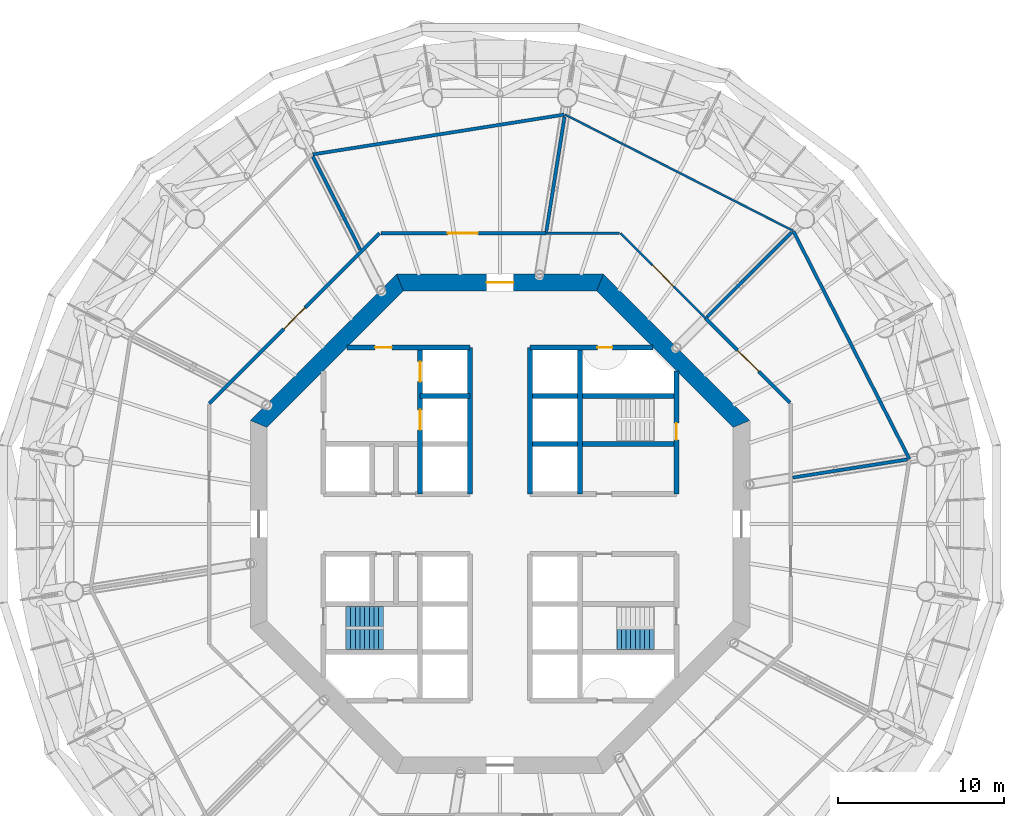
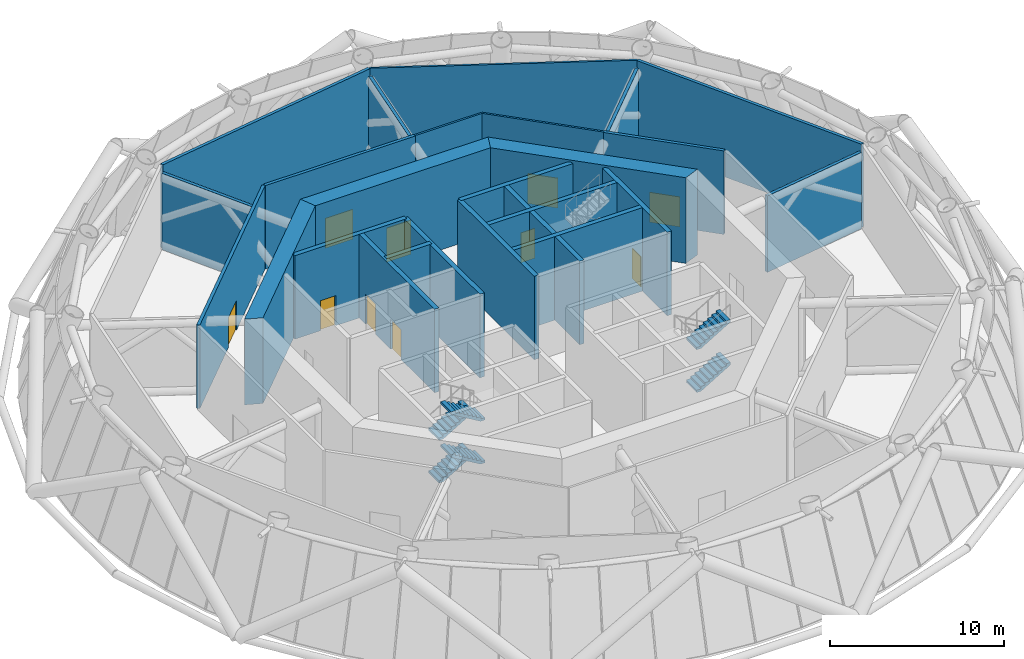
# One storey, part 9 of 15: 25 walls, 10 doors, 6 stair flights, 10 openings, 2 elements without a shape of their own.
"""IFC4 building model written with IfcOpenShell, lengths in metres."""

from ifc_helpers import new_model, si_unit, direction, frame, frame_2d, origin, place, context, subcontext, project, spatial, polyline, rectangle, outline, extrude, material, layer, layer_set, type_object, element, fill, aggregate, save


model = new_model("IFC4")

# Units and contexts
model_context = context("Model", 3, precision=1e-05, world=origin(), true_north=direction((0.0, 1.0)))
body_context = subcontext(model_context, "Body", "Model", "MODEL_VIEW")
ifc_project = project(units=[si_unit("LENGTHUNIT", "METRE"), si_unit("AREAUNIT", "SQUARE_METRE"), si_unit("VOLUMEUNIT", "CUBIC_METRE"), si_unit("PLANEANGLEUNIT", "RADIAN"), si_unit("MASSUNIT", "GRAM", prefix="KILO")], contexts=[model_context])

# Site, building, storey
site_placement = place(None, origin())
site = spatial("IfcSite", under=ifc_project, at=site_placement, CompositionType="ELEMENT")
building_placement = place(site_placement, origin())
building = spatial("IfcBuilding", under=site, at=building_placement, Name="Entoto Ring Tower", CompositionType="ELEMENT")
storey_placement = place(building_placement, frame((0.0, 0.0, 200.0)))
storey = spatial("IfcBuildingStorey", under=building, at=storey_placement, Name="L46", CompositionType="ELEMENT", Elevation=200.0)

# Wall, opening, door
ifc_material_1 = material(Name="Concrete C40/50", Category="concrete")
ifc_layer_1 = layer(ifc_material_1, 0.300048828125)
ifc_layer_set_1 = layer_set([ifc_layer_1], Name="Concrete C40/50")
wall_type_1 = type_object("IfcWallType", Name="Core enclosure wall 300 mm reinforced concrete", PredefinedType="SOLIDWALL", material=ifc_layer_set_1)
wall_1_placement = place(storey_placement, frame((100.60009765625, 81.800048828125, 0.0), z_axis=(0.0, 0.0, 1.0), x_axis=(0.0, 1.0, 0.0)))
wall_1 = element("IfcWall", 1, at=wall_1_placement, inside=storey, type_object=wall_type_1, Name="wall-L46-002", PredefinedType="SOLIDWALL", context=body_context, shape_type="SweptSolid", body=[
    extrude(rectangle(XDim=7.39892578125, YDim=0.300048828125, at=frame_2d((3.699462890625, 0.0))), origin(), (0.0, 0.0, 1.0), 5.85009765625),
])
opening_1_placement = place(wall_1_placement, frame((3.25, 0.0, 0.0)))
opening_1 = element("IfcOpeningElement", 2, at=opening_1_placement, cuts=wall_1, Name="Opening K-43", PredefinedType="OPENING", context=body_context, shape_type="SweptSolid", body=[
    extrude(rectangle(XDim=1.0, YDim=2.10009765625, at=frame_2d((0.5, 1.050048828125))), frame((0.0, 0.16015625, 0.0), z_axis=(0.0, -1.0, 0.0), x_axis=(1.0, 0.0, 0.0)), (0.0, 0.0, 1.0), 0.320068359375),
])
ifc_material_2 = material(Name="Steel door leaf, fire rated", Category="steel")
ifc_layer_2 = layer(ifc_material_2, 0.050048828125)
ifc_layer_set_2 = layer_set([ifc_layer_2], Name="Steel door leaf, fire rated")
door_type_1 = type_object("IfcDoorType", Name="Fire door FD60 1000 x 2100 single leaf", OperationType="NOTDEFINED", PredefinedType="DOOR", material=ifc_layer_set_2)
door_1_placement = place(opening_1_placement, origin())
door_1 = element("IfcDoor", 3, at=door_1_placement, inside=storey, type_object=door_type_1, Name="Door K-43", OperationType="SINGLE_SWING_LEFT", OverallHeight=2.10009765625, OverallWidth=1.0, PredefinedType="DOOR", context=body_context, shape_type="SweptSolid", body=[
    extrude(rectangle(XDim=1.0, YDim=2.10009765625, at=frame_2d((0.5, 1.050048828125))), frame((0.0, 0.02490234375, 0.0), z_axis=(0.0, -1.0, 0.0), x_axis=(1.0, 0.0, 0.0)), (0.0, 0.0, 1.0), 0.050048828125),
])
fill(opening_1, door_1)

# Walls
for number, where, z_axis, x_axis, name in (
    (4, (94.800048828125, 81.800048828125, 0.0), (0.0, 0.0, 1.0), (0.0, 1.0, 0.0), "wall-L46-004"),
    (5, (91.800048828125, 81.800048828125, 0.0), (0.0, 0.0, 1.0), (0.0, 1.0, 0.0), "wall-L46-006"),
    (6, (88.199951171875, 81.800048828125, 0.0), (0.0, 0.0, 1.0), (0.0, 1.0, 0.0), "wall-L46-008"),
):
    element("IfcWall", number, at=place(storey_placement, frame(where, z_axis=z_axis, x_axis=x_axis)), inside=storey, type_object=wall_type_1, Name=name, PredefinedType="SOLIDWALL", context=body_context, shape_type="SweptSolid", body=[
        extrude(rectangle(XDim=8.800048828125, YDim=0.300048828125, at=frame_2d((4.39990234375, 0.0))), origin(), (0.0, 0.0, 1.0), 5.85009765625),
    ])

# Wall, openings, doors
wall_2_placement = place(storey_placement, frame((85.199951171875, 81.800048828125, 0.0), z_axis=(0.0, 0.0, 1.0), x_axis=(0.0, 1.0, 0.0)))
wall_2 = element("IfcWall", 7, at=wall_2_placement, inside=storey, type_object=wall_type_1, Name="wall-L46-010", PredefinedType="SOLIDWALL", context=body_context, shape_type="SweptSolid", body=[
    extrude(rectangle(XDim=8.800048828125, YDim=0.300048828125, at=frame_2d((4.39990234375, 0.0))), origin(), (0.0, 0.0, 1.0), 5.85009765625),
])
opening_2_placement = place(wall_2_placement, frame((3.85009765625, 0.0, 0.0)))
opening_2 = element("IfcOpeningElement", 8, at=opening_2_placement, cuts=wall_2, Name="Opening LD", PredefinedType="OPENING", context=body_context, shape_type="SweptSolid", body=[
    extrude(rectangle(XDim=1.199951171875, YDim=2.10009765625, at=frame_2d((0.60009765625, 1.050048828125))), frame((0.0, 0.16015625, 0.0), z_axis=(0.0, -1.0, 0.0), x_axis=(1.0, 0.0, 0.0)), (0.0, 0.0, 1.0), 0.320068359375),
])
opening_3_placement = place(wall_2_placement, frame((6.75, 0.0, 0.0)))
opening_3 = element("IfcOpeningElement", 9, at=opening_3_placement, cuts=wall_2, Name="Opening LD", PredefinedType="OPENING", context=body_context, shape_type="SweptSolid", body=[
    extrude(rectangle(XDim=1.199951171875, YDim=2.10009765625, at=frame_2d((0.60009765625, 1.050048828125))), frame((0.0, 0.16015625, 0.0), z_axis=(0.0, -1.0, 0.0), x_axis=(1.0, 0.0, 0.0)), (0.0, 0.0, 1.0), 0.320068359375),
])
ifc_material_3 = material(Name="Steel and glass door leaf", Category="steel")
ifc_layer_3 = layer(ifc_material_3, 0.050048828125)
ifc_layer_set_3 = layer_set([ifc_layer_3], Name="Steel and glass door leaf")
door_type_2 = type_object("IfcDoorType", Name="Landing door 1200 x 2100 sliding", OperationType="DOUBLE_DOOR_SLIDING", PredefinedType="DOOR", material=ifc_layer_set_3)
door_2_placement = place(opening_2_placement, origin())
door_2 = element("IfcDoor", 10, at=door_2_placement, inside=storey, type_object=door_type_2, Name="Landing door FF1", OperationType="SLIDING_TO_RIGHT", OverallHeight=2.10009765625, OverallWidth=1.199951171875, PredefinedType="DOOR", context=body_context, shape_type="SweptSolid", body=[
    extrude(rectangle(XDim=1.199951171875, YDim=2.10009765625, at=frame_2d((0.60009765625, 1.050048828125))), frame((0.0, 0.02490234375, 0.0), z_axis=(0.0, -1.0, 0.0), x_axis=(1.0, 0.0, 0.0)), (0.0, 0.0, 1.0), 0.050048828125),
])
fill(opening_2, door_2)
door_3_placement = place(opening_3_placement, origin())
door_3 = element("IfcDoor", 11, at=door_3_placement, inside=storey, type_object=door_type_2, Name="Landing door FF2", OperationType="SLIDING_TO_RIGHT", OverallHeight=2.10009765625, OverallWidth=1.199951171875, PredefinedType="DOOR", context=body_context, shape_type="SweptSolid", body=[
    extrude(rectangle(XDim=1.199951171875, YDim=2.10009765625, at=frame_2d((0.60009765625, 1.050048828125))), frame((0.0, 0.02490234375, 0.0), z_axis=(0.0, -1.0, 0.0), x_axis=(1.0, 0.0, 0.0)), (0.0, 0.0, 1.0), 0.050048828125),
])
fill(opening_3, door_3)

# Walls
wall_3_placement = place(storey_placement, frame((91.800048828125, 84.800048828125, 0.0), z_axis=(0.0, 0.0, 1.0), x_axis=(1.0, 0.0, 0.0)))
element("IfcWall", 12, at=wall_3_placement, inside=storey, type_object=wall_type_1, Name="wall-L46-028", PredefinedType="SOLIDWALL", context=body_context, shape_type="SweptSolid", body=[
    extrude(rectangle(XDim=8.800048828125, YDim=0.300048828125, at=frame_2d((4.39990234375, 0.0))), origin(), (0.0, 0.0, 1.0), 5.85009765625),
])
wall_4_placement = place(storey_placement, frame((85.199951171875, 87.699951171875, 0.0), z_axis=(0.0, 0.0, 1.0), x_axis=(1.0, 0.0, 0.0)))
element("IfcWall", 13, at=wall_4_placement, inside=storey, type_object=wall_type_1, Name="wall-L46-029", PredefinedType="SOLIDWALL", context=body_context, shape_type="SweptSolid", body=[
    extrude(rectangle(XDim=3.0, YDim=0.300048828125, at=frame_2d((1.5, 0.0))), origin(), (0.0, 0.0, 1.0), 5.85009765625),
])
wall_5_placement = place(storey_placement, frame((91.800048828125, 87.699951171875, 0.0), z_axis=(0.0, 0.0, 1.0), x_axis=(1.0, 0.0, 0.0)))
element("IfcWall", 14, at=wall_5_placement, inside=storey, type_object=wall_type_1, Name="wall-L46-030", PredefinedType="SOLIDWALL", context=body_context, shape_type="SweptSolid", body=[
    extrude(rectangle(XDim=8.800048828125, YDim=0.300048828125, at=frame_2d((4.39990234375, 0.0))), origin(), (0.0, 0.0, 1.0), 5.85009765625),
])

# Wall, opening, door
wall_6_placement = place(storey_placement, frame((80.801025390625, 90.60009765625, 0.0), z_axis=(0.0, 0.0, 1.0), x_axis=(1.0, 0.0, 0.0)))
wall_6 = element("IfcWall", 15, at=wall_6_placement, inside=storey, type_object=wall_type_1, Name="wall-L46-031", PredefinedType="SOLIDWALL", context=body_context, shape_type="SweptSolid", body=[
    extrude(rectangle(XDim=7.39892578125, YDim=0.300048828125, at=frame_2d((3.699462890625, 0.0))), origin(), (0.0, 0.0, 1.0), 5.85009765625),
])
opening_4_placement = place(wall_6_placement, frame((1.698974609375, 0.0, 0.0)))
opening_4 = element("IfcOpeningElement", 16, at=opening_4_placement, cuts=wall_6, Name="Opening K-59", PredefinedType="OPENING", context=body_context, shape_type="SweptSolid", body=[
    extrude(rectangle(XDim=1.0, YDim=2.10009765625, at=frame_2d((0.5, 1.050048828125))), frame((0.0, 0.16015625, 0.0), z_axis=(0.0, -1.0, 0.0), x_axis=(1.0, 0.0, 0.0)), (0.0, 0.0, 1.0), 0.320068359375),
])
door_4_placement = place(opening_4_placement, frame((1.0, 0.0, 0.0), z_axis=(0.0, 0.0, 1.0), x_axis=(-1.0, 0.0, 0.0)))
door_4 = element("IfcDoor", 17, at=door_4_placement, inside=storey, type_object=door_type_1, Name="Door K-59", OperationType="SINGLE_SWING_RIGHT", OverallHeight=2.10009765625, OverallWidth=1.0, PredefinedType="DOOR", context=body_context, shape_type="SweptSolid", body=[
    extrude(rectangle(XDim=1.0, YDim=2.10009765625, at=frame_2d((0.5, 1.050048828125))), frame((0.0, 0.02490234375, 0.0), z_axis=(0.0, -1.0, 0.0), x_axis=(1.0, 0.0, 0.0)), (0.0, 0.0, 1.0), 0.050048828125),
])
fill(opening_4, door_4)

wall_7_placement = place(storey_placement, frame((91.800048828125, 90.60009765625, 0.0), z_axis=(0.0, 0.0, 1.0), x_axis=(1.0, 0.0, 0.0)))
wall_7 = element("IfcWall", 18, at=wall_7_placement, inside=storey, type_object=wall_type_1, Name="wall-L46-032", PredefinedType="SOLIDWALL", context=body_context, shape_type="SweptSolid", body=[
    extrude(rectangle(XDim=7.39892578125, YDim=0.300048828125, at=frame_2d((3.699462890625, 0.0))), origin(), (0.0, 0.0, 1.0), 5.85009765625),
])
opening_5_placement = place(wall_7_placement, frame((4.050048828125, 0.0, 0.0)))
opening_5 = element("IfcOpeningElement", 19, at=opening_5_placement, cuts=wall_7, Name="Opening K-49", PredefinedType="OPENING", context=body_context, shape_type="SweptSolid", body=[
    extrude(rectangle(XDim=0.89990234375, YDim=2.10009765625, at=frame_2d((0.449951171875, 1.050048828125))), frame((0.0, 0.16015625, 0.0), z_axis=(0.0, -1.0, 0.0), x_axis=(1.0, 0.0, 0.0)), (0.0, 0.0, 1.0), 0.320068359375),
])
ifc_material_4 = material(Name="Steel door leaf, fire rated", Category="steel")
ifc_layer_4 = layer(ifc_material_4, 0.050048828125)
ifc_layer_set_4 = layer_set([ifc_layer_4], Name="Steel door leaf, fire rated")
door_type_3 = type_object("IfcDoorType", Name="Riser door FD60 900 x 2100 single leaf", OperationType="NOTDEFINED", PredefinedType="DOOR", material=ifc_layer_set_4)
door_5_placement = place(opening_5_placement, frame((0.89990234375, 0.0, 0.0), z_axis=(0.0, 0.0, 1.0), x_axis=(-1.0, 0.0, 0.0)))
door_5 = element("IfcDoor", 20, at=door_5_placement, inside=storey, type_object=door_type_3, Name="Door K-49", OperationType="SINGLE_SWING_LEFT", OverallHeight=2.10009765625, OverallWidth=0.89990234375, PredefinedType="DOOR", context=body_context, shape_type="SweptSolid", body=[
    extrude(rectangle(XDim=0.89990234375, YDim=2.10009765625, at=frame_2d((0.449951171875, 1.050048828125))), frame((0.0, 0.02490234375, 0.0), z_axis=(0.0, -1.0, 0.0), x_axis=(1.0, 0.0, 0.0)), (0.0, 0.0, 1.0), 0.050048828125),
])
fill(opening_5, door_5)

# Wall
ifc_material_5 = material(Name="Concrete C50/60", Category="concrete")
ifc_layer_5 = layer(ifc_material_5, 1.0)
ifc_layer_set_5 = layer_set([ifc_layer_5], Name="Concrete C50/60")
wall_type_2 = type_object("IfcWallType", Name="Core shear wall 1000 mm reinforced concrete C50/60", PredefinedType="SHEAR", material=ifc_layer_set_5)
wall_8_placement = place(storey_placement, frame((104.5, 86.006103515625, 0.0), z_axis=(0.0, 0.0, 1.0), x_axis=(-0.707106781187, 0.707106781187, 0.0)))
element("IfcWall", 21, at=wall_8_placement, inside=storey, type_object=wall_type_2, Name="wall-L46-core-1", PredefinedType="SHEAR", context=body_context, shape_type="SweptSolid", body=[
    extrude(outline(polyline([(-0.20703125, -0.5), (12.21923828125, -0.5), (11.80517578125, 0.5), (0.20703125, 0.5), (-0.20703125, -0.5)])), origin(), (0.0, 0.0, 1.0), 6.0),
])

# Wall, opening, door
wall_9_placement = place(storey_placement, frame((96.006103515625, 94.5, 0.0), z_axis=(0.0, 0.0, 1.0), x_axis=(-1.0, 0.0, 0.0)))
wall_9 = element("IfcWall", 22, at=wall_9_placement, inside=storey, type_object=wall_type_2, Name="wall-L46-core-2", PredefinedType="SHEAR", context=body_context, shape_type="SweptSolid", body=[
    extrude(outline(polyline([(-0.20703125, -0.5), (12.21923828125, -0.5), (11.80517578125, 0.5), (0.20703125, 0.5), (-0.20703125, -0.5)])), origin(), (0.0, 0.0, 1.0), 6.0),
])
opening_6_placement = place(wall_9_placement, frame((5.2060546875, 0.0, 0.0)))
opening_6 = element("IfcOpeningElement", 23, at=opening_6_placement, cuts=wall_9, Name="Opening K-02", PredefinedType="OPENING", context=body_context, shape_type="SweptSolid", body=[
    extrude(rectangle(XDim=1.60009765625, YDim=2.39990234375, at=frame_2d((0.800048828125, 1.199951171875))), frame((0.0, 0.510009765625, 0.0), z_axis=(0.0, -1.0, 0.0), x_axis=(1.0, 0.0, 0.0)), (0.0, 0.0, 1.0), 1.02001953125),
])
ifc_material_6 = material(Name="Steel door leaf, fire rated", Category="steel")
ifc_layer_6 = layer(ifc_material_6, 0.050048828125)
ifc_layer_set_6 = layer_set([ifc_layer_6], Name="Steel door leaf, fire rated")
door_type_4 = type_object("IfcDoorType", Name="Entrance door FD60 1600 x 2400 double leaf", OperationType="DOUBLE_DOOR_SINGLE_SWING", PredefinedType="DOOR", material=ifc_layer_set_6)
door_6_placement = place(opening_6_placement, origin())
door_6 = element("IfcDoor", 24, at=door_6_placement, inside=storey, type_object=door_type_4, Name="Entrance door K-02", OperationType="DOUBLE_DOOR_SINGLE_SWING", OverallHeight=2.39990234375, OverallWidth=1.60009765625, PredefinedType="DOOR", context=body_context, shape_type="SweptSolid", body=[
    extrude(rectangle(XDim=1.60009765625, YDim=2.39990234375, at=frame_2d((0.800048828125, 1.199951171875))), frame((0.0, 0.02490234375, 0.0), z_axis=(0.0, -1.0, 0.0), x_axis=(1.0, 0.0, 0.0)), (0.0, 0.0, 1.0), 0.050048828125),
])
fill(opening_6, door_6)

# Walls
wall_10_placement = place(storey_placement, frame((83.993896484375, 94.5, 0.0), z_axis=(0.0, 0.0, 1.0), x_axis=(-0.707106781187, -0.707106781187, 0.0)))
element("IfcWall", 25, at=wall_10_placement, inside=storey, type_object=wall_type_2, Name="wall-L46-core-3", PredefinedType="SHEAR", context=body_context, shape_type="SweptSolid", body=[
    extrude(outline(polyline([(-0.20703125, -0.5), (12.21923828125, -0.5), (11.80517578125, 0.5), (0.20703125, 0.5), (-0.20703125, -0.5)])), origin(), (0.0, 0.0, 1.0), 6.0),
])
ifc_material_7 = material(Name="Fire-resisting plasterboard on steel studs", Category="steel")
ifc_layer_7 = layer(ifc_material_7, 0.125)
ifc_layer_set_7 = layer_set([ifc_layer_7], Name="Fire-resisting plasterboard on steel studs")
wall_type_3 = type_object("IfcWallType", Name="Corridor wall 125 mm one-hour plasterboard on steel studs", PredefinedType="PARTITIONING", material=ifc_layer_set_7)
wall_11_placement = place(storey_placement, frame((107.60693359375, 97.60693359375, 0.0), z_axis=(0.0, 0.0, 1.0), x_axis=(-0.891003173145, 0.453997076472, 0.0)))
element("IfcWall", 26, at=wall_11_placement, inside=storey, type_object=wall_type_3, Name="partition-L46-002", PredefinedType="PARTITIONING", context=body_context, shape_type="SweptSolid", body=[
    extrude(rectangle(XDim=15.388916015625, YDim=0.125, at=frame_2d((7.6943359375, 0.0))), origin(), (0.0, 0.0, 1.0), 5.85009765625),
])

# Wall, opening, door
wall_12_placement = place(storey_placement, frame((102.347900390625, 92.347900390625, 0.0), z_axis=(0.0, 0.0, 1.0), x_axis=(-0.707123657445, 0.707089904526, 0.0)))
wall_12 = element("IfcWall", 27, at=wall_12_placement, inside=storey, type_object=wall_type_3, Name="partition-L46-004", PredefinedType="PARTITIONING", context=body_context, shape_type="SweptSolid", body=[
    extrude(rectangle(XDim=7.233154296875, YDim=0.125, at=frame_2d((3.61669921875, 0.0))), origin(), (0.0, 0.0, 1.0), 5.85009765625),
])
opening_7_placement = place(wall_12_placement, frame((2.716552734375, 0.0, 0.0)))
opening_7 = element("IfcOpeningElement", 28, at=opening_7_placement, cuts=wall_12, Name="Opening A20-D02", PredefinedType="OPENING", context=body_context, shape_type="SweptSolid", body=[
    extrude(rectangle(XDim=1.800048828125, YDim=2.10009765625, at=frame_2d((0.89990234375, 1.050048828125))), frame((0.0, 0.072509765625, 0.0), z_axis=(0.0, -1.0, 0.0), x_axis=(1.0, 0.0, 0.0)), (0.0, 0.0, 1.0), 0.14501953125),
])
ifc_material_8 = material(Name="Fire-resisting timber door set", Category="wood")
door_type_5 = type_object("IfcDoorType", Name="Door 1800 x 2100 double leaf FD30S fire door", OperationType="DOUBLE_DOOR_SINGLE_SWING", PredefinedType="DOOR", material=ifc_material_8)
door_7_placement = place(opening_7_placement, frame((1.800048828125, 0.0, 0.0), z_axis=(0.0, 0.0, 1.0), x_axis=(-1.0, 0.0, 0.0)))
door_7 = element("IfcDoor", 29, at=door_7_placement, inside=storey, type_object=door_type_5, Name="Door A20-D02", OperationType="DOUBLE_DOOR_SINGLE_SWING", OverallHeight=2.10009765625, OverallWidth=1.800048828125, PredefinedType="DOOR", context=body_context, shape_type="SweptSolid", body=[
    extrude(rectangle(XDim=1.800048828125, YDim=2.10009765625, at=frame_2d((0.89990234375, 1.050048828125))), frame((0.0, 0.02490234375, 0.0), z_axis=(0.0, -1.0, 0.0), x_axis=(1.0, 0.0, 0.0)), (0.0, 0.0, 1.0), 0.050048828125),
])
fill(opening_7, door_7)

# Walls
wall_13_placement = place(storey_placement, frame((92.765869140625, 97.46240234375, 0.0), z_axis=(0.0, 0.0, 1.0), x_axis=(1.0, 0.0, 0.0)))
element("IfcWall", 30, at=wall_13_placement, inside=storey, type_object=wall_type_3, Name="partition-L46-006", PredefinedType="PARTITIONING", context=body_context, shape_type="SweptSolid", body=[
    extrude(rectangle(XDim=4.42333984375, YDim=0.125, at=frame_2d((2.211669921875, 0.0))), origin(), (0.0, 0.0, 1.0), 5.85009765625),
])
ifc_material_9 = material(Name="Concrete C20/25", Category="concrete")
ifc_layer_8 = layer(ifc_material_9, 0.199951171875)
ifc_layer_set_8 = layer_set([ifc_layer_8], Name="Concrete C20/25")
wall_type_4 = type_object("IfcWallType", Name="Plant room wall 200 mm two-hour concrete", PredefinedType="PARTITIONING", material=ifc_layer_set_8)
wall_14_placement = place(storey_placement, frame((114.593505859375, 83.895263671875, 0.0), z_axis=(0.0, 0.0, 1.0), x_axis=(-0.453994149093, 0.891004664741, 0.0)))
element("IfcWall", 31, at=wall_14_placement, inside=storey, type_object=wall_type_4, Name="partition-L46-010", PredefinedType="PARTITIONING", context=body_context, shape_type="SweptSolid", body=[
    extrude(rectangle(XDim=15.3525390625, YDim=0.199951171875, at=frame_2d((7.67626953125, 0.0))), origin(), (0.0, 0.0, 1.0), 5.85009765625),
])
wall_15_placement = place(storey_placement, frame((78.75341796875, 102.1953125, 0.0), z_axis=(0.0, 0.0, 1.0), x_axis=(0.987690117548, 0.156423245387, 0.0)))
element("IfcWall", 32, at=wall_15_placement, inside=storey, type_object=wall_type_4, Name="partition-L46-012", PredefinedType="PARTITIONING", context=body_context, shape_type="SweptSolid", body=[
    extrude(rectangle(XDim=15.2939453125, YDim=0.199951171875, at=frame_2d((7.64697265625, 0.0))), origin(), (0.0, 0.0, 1.0), 5.85009765625),
])

# Wall, opening, door
wall_16_placement = place(storey_placement, frame((72.53759765625, 87.233154296875, 0.0), z_axis=(0.0, 0.0, 1.0), x_axis=(0.707106781187, 0.707106781187, 0.0)))
wall_16 = element("IfcWall", 33, at=wall_16_placement, inside=storey, type_object=wall_type_4, Name="partition-L46-015", PredefinedType="PARTITIONING", context=body_context, shape_type="SweptSolid", body=[
    extrude(rectangle(XDim=14.46630859375, YDim=0.199951171875, at=frame_2d((7.233154296875, 0.0))), origin(), (0.0, 0.0, 1.0), 5.85009765625),
])
opening_8_placement = place(wall_16_placement, frame((6.333251953125, 0.0, 0.0)))
opening_8 = element("IfcOpeningElement", 34, at=opening_8_placement, cuts=wall_16, Name="Opening A20-D04", PredefinedType="OPENING", context=body_context, shape_type="SweptSolid", body=[
    extrude(rectangle(XDim=1.800048828125, YDim=2.10009765625, at=frame_2d((0.89990234375, 1.050048828125))), frame((0.0, 0.10986328125, 0.0), z_axis=(0.0, -1.0, 0.0), x_axis=(1.0, 0.0, 0.0)), (0.0, 0.0, 1.0), 0.219970703125),
])
ifc_material_10 = material(Name="Fire-resisting steel door set", Category="steel")
door_type_6 = type_object("IfcDoorType", Name="Door 1800 x 2100 double leaf FD60 steel door", OperationType="DOUBLE_DOOR_SINGLE_SWING", PredefinedType="DOOR", material=ifc_material_10)
door_8_placement = place(opening_8_placement, origin())
door_8 = element("IfcDoor", 35, at=door_8_placement, inside=storey, type_object=door_type_6, Name="Door A20-D04", OperationType="DOUBLE_DOOR_SINGLE_SWING", OverallHeight=2.10009765625, OverallWidth=1.800048828125, PredefinedType="DOOR", context=body_context, shape_type="SweptSolid", body=[
    extrude(rectangle(XDim=1.800048828125, YDim=2.10009765625, at=frame_2d((0.89990234375, 1.050048828125))), frame((0.0, 0.02490234375, 0.0), z_axis=(0.0, -1.0, 0.0), x_axis=(1.0, 0.0, 0.0)), (0.0, 0.0, 1.0), 0.050048828125),
])
fill(opening_8, door_8)

wall_17_placement = place(storey_placement, frame((82.83740234375, 97.46240234375, 0.0), z_axis=(0.0, 0.0, 1.0), x_axis=(1.0, 0.0, 0.0)))
wall_17 = element("IfcWall", 36, at=wall_17_placement, inside=storey, type_object=wall_type_4, Name="partition-L46-019", PredefinedType="PARTITIONING", context=body_context, shape_type="SweptSolid", body=[
    extrude(rectangle(XDim=9.928466796875, YDim=0.199951171875, at=frame_2d((4.96435546875, 0.0))), origin(), (0.0, 0.0, 1.0), 5.85009765625),
])
opening_9_placement = place(wall_17_placement, frame((4.029052734375, 0.0, 0.0)))
opening_9 = element("IfcOpeningElement", 37, at=opening_9_placement, cuts=wall_17, Name="Opening A20-D03", PredefinedType="OPENING", context=body_context, shape_type="SweptSolid", body=[
    extrude(rectangle(XDim=1.800048828125, YDim=2.10009765625, at=frame_2d((0.89990234375, 1.050048828125))), frame((0.0, 0.10986328125, 0.0), z_axis=(0.0, -1.0, 0.0), x_axis=(1.0, 0.0, 0.0)), (0.0, 0.0, 1.0), 0.219970703125),
])
door_9_placement = place(opening_9_placement, origin())
door_9 = element("IfcDoor", 38, at=door_9_placement, inside=storey, type_object=door_type_6, Name="Door A20-D03", OperationType="DOUBLE_DOOR_SINGLE_SWING", OverallHeight=2.10009765625, OverallWidth=1.800048828125, PredefinedType="DOOR", context=body_context, shape_type="SweptSolid", body=[
    extrude(rectangle(XDim=1.800048828125, YDim=2.10009765625, at=frame_2d((0.89990234375, 1.050048828125))), frame((0.0, 0.02490234375, 0.0), z_axis=(0.0, -1.0, 0.0), x_axis=(1.0, 0.0, 0.0)), (0.0, 0.0, 1.0), 0.050048828125),
])
fill(opening_9, door_9)

wall_18_placement = place(storey_placement, frame((107.41259765625, 87.283203125, 0.0), z_axis=(0.0, 0.0, 1.0), x_axis=(-0.707106781187, 0.707106781187, 0.0)))
wall_18 = element("IfcWall", 39, at=wall_18_placement, inside=storey, type_object=wall_type_4, Name="partition-L46-024", PredefinedType="PARTITIONING", context=body_context, shape_type="SweptSolid", body=[
    extrude(rectangle(XDim=7.16259765625, YDim=0.199951171875, at=frame_2d((3.581298828125, 0.0))), origin(), (0.0, 0.0, 1.0), 5.85009765625),
])
opening_10_placement = place(wall_18_placement, frame((2.646240234375, 0.0, 0.0)))
opening_10 = element("IfcOpeningElement", 40, at=opening_10_placement, cuts=wall_18, Name="Opening A20-D01", PredefinedType="OPENING", context=body_context, shape_type="SweptSolid", body=[
    extrude(rectangle(XDim=1.800048828125, YDim=2.10009765625, at=frame_2d((0.89990234375, 1.050048828125))), frame((0.0, 0.10986328125, 0.0), z_axis=(0.0, -1.0, 0.0), x_axis=(1.0, 0.0, 0.0)), (0.0, 0.0, 1.0), 0.219970703125),
])
door_10_placement = place(opening_10_placement, frame((1.800048828125, 0.0, 0.0), z_axis=(0.0, 0.0, 1.0), x_axis=(-1.0, 0.0, 0.0)))
door_10 = element("IfcDoor", 41, at=door_10_placement, inside=storey, type_object=door_type_6, Name="Door A20-D01", OperationType="DOUBLE_DOOR_SINGLE_SWING", OverallHeight=2.10009765625, OverallWidth=1.800048828125, PredefinedType="DOOR", context=body_context, shape_type="SweptSolid", body=[
    extrude(rectangle(XDim=1.800048828125, YDim=2.10009765625, at=frame_2d((0.89990234375, 1.050048828125))), frame((0.0, 0.02490234375, 0.0), z_axis=(0.0, -1.0, 0.0), x_axis=(1.0, 0.0, 0.0)), (0.0, 0.0, 1.0), 0.050048828125),
])
fill(opening_10, door_10)

# Walls
ifc_material_11 = material(Name="Concrete C20/25", Category="concrete")
ifc_layer_9 = layer(ifc_material_11, 0.199951171875)
ifc_layer_set_9 = layer_set([ifc_layer_9], Name="Concrete C20/25")
wall_type_5 = type_object("IfcWallType", Name="Plant room wall 200 mm two-hour concrete, 5350 mm high", PredefinedType="PARTITIONING", material=ifc_layer_set_9)
wall_19_placement = place(storey_placement, frame((102.418701171875, 92.418701171875, 0.0), z_axis=(0.0, 0.0, 1.0), x_axis=(0.707106781187, 0.707106781187, 0.0)))
element("IfcWall", 42, at=wall_19_placement, inside=storey, type_object=wall_type_5, Name="partition-L46-022", PredefinedType="PARTITIONING", context=body_context, shape_type="SweptSolid", body=[
    extrude(rectangle(XDim=7.199951171875, YDim=0.199951171875, at=frame_2d((3.60009765625, 0.0))), origin(), (0.0, 0.0, 1.0), 5.35009765625),
])
wall_20_placement = place(storey_placement, frame((92.78125, 97.56005859375, 0.0), z_axis=(0.0, 0.0, 1.0), x_axis=(0.156445473641, 0.987686596941, 0.0)))
element("IfcWall", 43, at=wall_20_placement, inside=storey, type_object=wall_type_5, Name="partition-L46-027", PredefinedType="PARTITIONING", context=body_context, shape_type="SweptSolid", body=[
    extrude(rectangle(XDim=6.9833984375, YDim=0.199951171875, at=frame_2d((3.49169921875, 0.0))), origin(), (0.0, 0.0, 1.0), 5.35009765625),
])
wall_21_placement = place(storey_placement, frame((107.578125, 82.7841796875, 0.0), z_axis=(0.0, 0.0, 1.0), x_axis=(0.987688106412, 0.156435943606, 0.0)))
element("IfcWall", 44, at=wall_21_placement, inside=storey, type_object=wall_type_5, Name="partition-L46-028", PredefinedType="PARTITIONING", context=body_context, shape_type="SweptSolid", body=[
    extrude(rectangle(XDim=6.965087890625, YDim=0.199951171875, at=frame_2d((3.482421875, 0.0))), origin(), (0.0, 0.0, 1.0), 5.35009765625),
])
wall_22_placement = place(storey_placement, frame((81.601806640625, 96.482421875, 0.0), z_axis=(0.0, 0.0, 1.0), x_axis=(-0.453982414529, 0.891010643763, 0.0)))
element("IfcWall", 45, at=wall_22_placement, inside=storey, type_object=wall_type_5, Name="partition-L46-030", PredefinedType="PARTITIONING", context=body_context, shape_type="SweptSolid", body=[
    extrude(rectangle(XDim=6.263916015625, YDim=0.199951171875, at=frame_2d((3.1318359375, 0.0))), origin(), (0.0, 0.0, 1.0), 5.35009765625),
])

# Stair, stair flights
ifc_material_12 = material(Name="Concrete C40/50", Category="concrete")
stair_type = type_object("IfcStairType", Name="Exit stair 1200 mm dog-leg reinforced concrete", PredefinedType="HALF_TURN_STAIR", material=ifc_material_12)
stair_1_placement = place(storey_placement, origin())
stair_1 = element("IfcStair", 46, at=stair_1_placement, inside=storey, type_object=stair_type, Name="Exit stair 2", PredefinedType="HALF_TURN_STAIR")
ifc_material_13 = material(Name="Concrete C40/50", Category="concrete")
stair_flight_type = type_object("IfcStairFlightType", Name="Stair flight 1200 mm reinforced concrete", PredefinedType="STRAIGHT", material=ifc_material_13)
stair_flight_1_placement = place(storey_placement, frame((80.75, 74.449951171875, 0.0), z_axis=(0.0, 0.0, 1.0), x_axis=(1.0, 0.0, 0.0)))
stair_flight_1 = element("IfcStairFlight", 47, at=stair_flight_1_placement, type_object=stair_flight_type, Name="ST2 flight 1", NumberOfRisers=9, NumberOfTreads=8, PredefinedType="STRAIGHT", RiserHeight=0.166666667, TreadLength=0.28, context=body_context, shape_type="SweptSolid", body=[
    extrude(outline(polyline([(0.0, 0.0), (0.0, 0.166748046875), (0.280029296875, 0.166748046875), (0.280029296875, 0.333251953125), (0.56005859375, 0.333251953125), (0.56005859375, 0.5), (0.840087890625, 0.5), (0.840087890625, 0.666748046875), (1.1201171875, 0.666748046875), (1.1201171875, 0.833251953125), (1.39990234375, 0.833251953125), (1.39990234375, 1.0), (1.679931640625, 1.0), (1.679931640625, 1.166748046875), (1.9599609375, 1.166748046875), (1.9599609375, 1.333251953125), (2.239990234375, 1.333251953125), (2.239990234375, 1.5), (2.239990234375, 1.158935546875), (0.29296875, 0.0), (0.0, 0.0)])), frame((0.0, 0.60009765625, 0.0), z_axis=(0.0, -1.0, 0.0), x_axis=(1.0, 0.0, 0.0)), (0.0, 0.0, 1.0), 1.199951171875),
])
stair_flight_2_placement = place(storey_placement, frame((82.989990234375, 73.050048828125, 1.5), z_axis=(0.0, 0.0, 1.0), x_axis=(-1.0, 0.0, 0.0)))
stair_flight_2 = element("IfcStairFlight", 48, at=stair_flight_2_placement, type_object=stair_flight_type, Name="ST2 flight 2", NumberOfRisers=9, NumberOfTreads=8, PredefinedType="STRAIGHT", RiserHeight=0.166666667, TreadLength=0.28, context=body_context, shape_type="SweptSolid", body=[
    extrude(outline(polyline([(0.0, 0.0), (0.0, 0.166748046875), (0.280029296875, 0.166748046875), (0.280029296875, 0.333251953125), (0.56005859375, 0.333251953125), (0.56005859375, 0.5), (0.840087890625, 0.5), (0.840087890625, 0.666748046875), (1.1201171875, 0.666748046875), (1.1201171875, 0.833251953125), (1.39990234375, 0.833251953125), (1.39990234375, 1.0), (1.679931640625, 1.0), (1.679931640625, 1.166748046875), (1.9599609375, 1.166748046875), (1.9599609375, 1.333251953125), (2.239990234375, 1.333251953125), (2.239990234375, 1.5), (2.239990234375, 1.158935546875), (0.29296875, 0.0), (0.0, 0.0)])), frame((0.0, 0.60009765625, 0.0), z_axis=(0.0, -1.0, 0.0), x_axis=(1.0, 0.0, 0.0)), (0.0, 0.0, 1.0), 1.199951171875),
])
stair_flight_3_placement = place(storey_placement, frame((80.75, 74.449951171875, 3.0), z_axis=(0.0, 0.0, 1.0), x_axis=(1.0, 0.0, 0.0)))
stair_flight_3 = element("IfcStairFlight", 49, at=stair_flight_3_placement, type_object=stair_flight_type, Name="ST2 flight 3", NumberOfRisers=9, NumberOfTreads=8, PredefinedType="STRAIGHT", RiserHeight=0.166666667, TreadLength=0.28, context=body_context, shape_type="SweptSolid", body=[
    extrude(outline(polyline([(0.0, 0.0), (0.0, 0.166748046875), (0.280029296875, 0.166748046875), (0.280029296875, 0.333251953125), (0.56005859375, 0.333251953125), (0.56005859375, 0.5), (0.840087890625, 0.5), (0.840087890625, 0.666748046875), (1.1201171875, 0.666748046875), (1.1201171875, 0.833251953125), (1.39990234375, 0.833251953125), (1.39990234375, 1.0), (1.679931640625, 1.0), (1.679931640625, 1.166748046875), (1.9599609375, 1.166748046875), (1.9599609375, 1.333251953125), (2.239990234375, 1.333251953125), (2.239990234375, 1.5), (2.239990234375, 1.158935546875), (0.29296875, 0.0), (0.0, 0.0)])), frame((0.0, 0.60009765625, 0.0), z_axis=(0.0, -1.0, 0.0), x_axis=(1.0, 0.0, 0.0)), (0.0, 0.0, 1.0), 1.199951171875),
])
stair_flight_4_placement = place(storey_placement, frame((82.989990234375, 73.050048828125, 4.5), z_axis=(0.0, 0.0, 1.0), x_axis=(-1.0, 0.0, 0.0)))
stair_flight_4 = element("IfcStairFlight", 50, at=stair_flight_4_placement, type_object=stair_flight_type, Name="ST2 flight 4", NumberOfRisers=9, NumberOfTreads=8, PredefinedType="STRAIGHT", RiserHeight=0.166666667, TreadLength=0.28, context=body_context, shape_type="SweptSolid", body=[
    extrude(outline(polyline([(0.0, 0.0), (0.0, 0.166748046875), (0.280029296875, 0.166748046875), (0.280029296875, 0.333251953125), (0.56005859375, 0.333251953125), (0.56005859375, 0.5), (0.840087890625, 0.5), (0.840087890625, 0.666748046875), (1.1201171875, 0.666748046875), (1.1201171875, 0.833251953125), (1.39990234375, 0.833251953125), (1.39990234375, 1.0), (1.679931640625, 1.0), (1.679931640625, 1.166748046875), (1.9599609375, 1.166748046875), (1.9599609375, 1.333251953125), (2.239990234375, 1.333251953125), (2.239990234375, 1.5), (2.239990234375, 1.158935546875), (0.29296875, 0.0), (0.0, 0.0)])), frame((0.0, 0.60009765625, 0.0), z_axis=(0.0, -1.0, 0.0), x_axis=(1.0, 0.0, 0.0)), (0.0, 0.0, 1.0), 1.199951171875),
])
aggregate(stair_1, [stair_flight_1, stair_flight_2, stair_flight_3, stair_flight_4])

stair_2_placement = place(storey_placement, origin())
stair_2 = element("IfcStair", 51, at=stair_2_placement, inside=storey, type_object=stair_type, Name="Exit stair 3", PredefinedType="HALF_TURN_STAIR")
stair_flight_5_placement = place(storey_placement, frame((97.010009765625, 73.050048828125, 1.5), z_axis=(0.0, 0.0, 1.0), x_axis=(1.0, 0.0, 0.0)))
stair_flight_5 = element("IfcStairFlight", 52, at=stair_flight_5_placement, type_object=stair_flight_type, Name="ST3 flight 2", NumberOfRisers=9, NumberOfTreads=8, PredefinedType="STRAIGHT", RiserHeight=0.166666667, TreadLength=0.28, context=body_context, shape_type="SweptSolid", body=[
    extrude(outline(polyline([(0.0, 0.0), (0.0, 0.166748046875), (0.280029296875, 0.166748046875), (0.280029296875, 0.333251953125), (0.56005859375, 0.333251953125), (0.56005859375, 0.5), (0.840087890625, 0.5), (0.840087890625, 0.666748046875), (1.1201171875, 0.666748046875), (1.1201171875, 0.833251953125), (1.39990234375, 0.833251953125), (1.39990234375, 1.0), (1.679931640625, 1.0), (1.679931640625, 1.166748046875), (1.9599609375, 1.166748046875), (1.9599609375, 1.333251953125), (2.239990234375, 1.333251953125), (2.239990234375, 1.5), (2.239990234375, 1.158935546875), (0.29296875, 0.0), (0.0, 0.0)])), frame((0.0, 0.60009765625, 0.0), z_axis=(0.0, -1.0, 0.0), x_axis=(1.0, 0.0, 0.0)), (0.0, 0.0, 1.0), 1.199951171875),
])
stair_flight_6_placement = place(storey_placement, frame((97.010009765625, 73.050048828125, 4.5), z_axis=(0.0, 0.0, 1.0), x_axis=(1.0, 0.0, 0.0)))
stair_flight_6 = element("IfcStairFlight", 53, at=stair_flight_6_placement, type_object=stair_flight_type, Name="ST3 flight 4", NumberOfRisers=9, NumberOfTreads=8, PredefinedType="STRAIGHT", RiserHeight=0.166666667, TreadLength=0.28, context=body_context, shape_type="SweptSolid", body=[
    extrude(outline(polyline([(0.0, 0.0), (0.0, 0.166748046875), (0.280029296875, 0.166748046875), (0.280029296875, 0.333251953125), (0.56005859375, 0.333251953125), (0.56005859375, 0.5), (0.840087890625, 0.5), (0.840087890625, 0.666748046875), (1.1201171875, 0.666748046875), (1.1201171875, 0.833251953125), (1.39990234375, 0.833251953125), (1.39990234375, 1.0), (1.679931640625, 1.0), (1.679931640625, 1.166748046875), (1.9599609375, 1.166748046875), (1.9599609375, 1.333251953125), (2.239990234375, 1.333251953125), (2.239990234375, 1.5), (2.239990234375, 1.158935546875), (0.29296875, 0.0), (0.0, 0.0)])), frame((0.0, 0.60009765625, 0.0), z_axis=(0.0, -1.0, 0.0), x_axis=(1.0, 0.0, 0.0)), (0.0, 0.0, 1.0), 1.199951171875),
])
aggregate(stair_2, [stair_flight_5, stair_flight_6])

save(model, "model.ifc")
